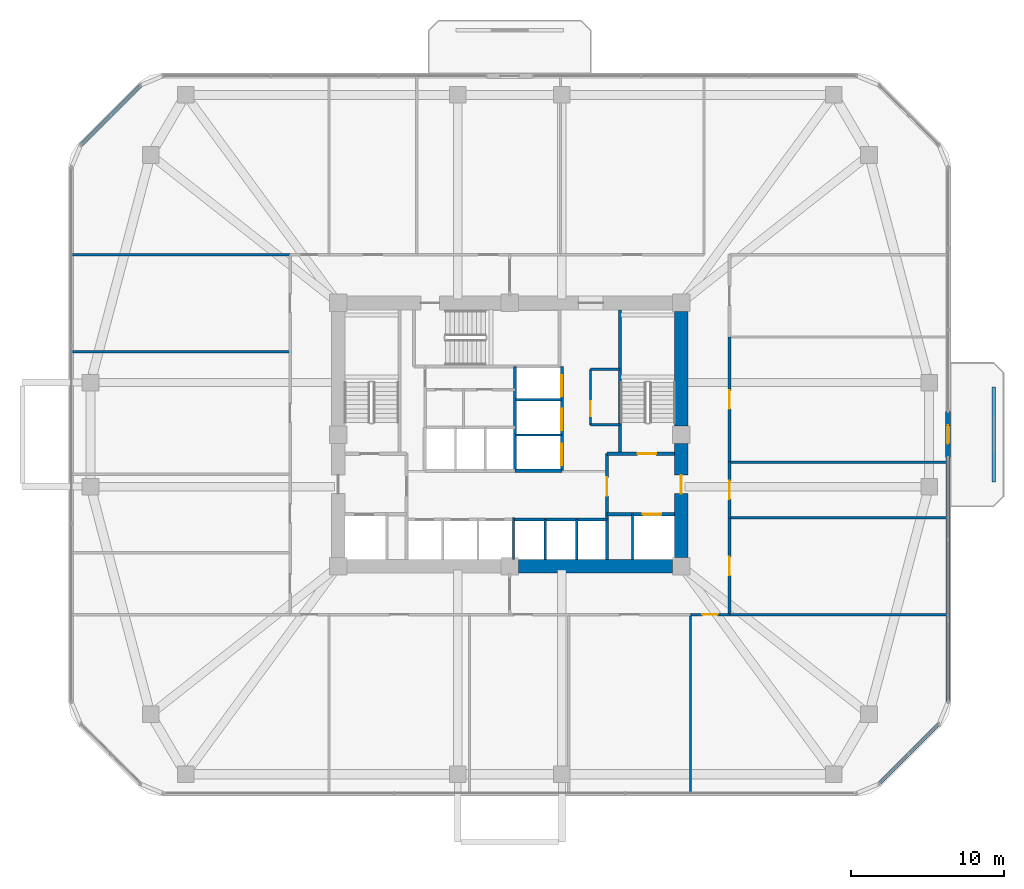
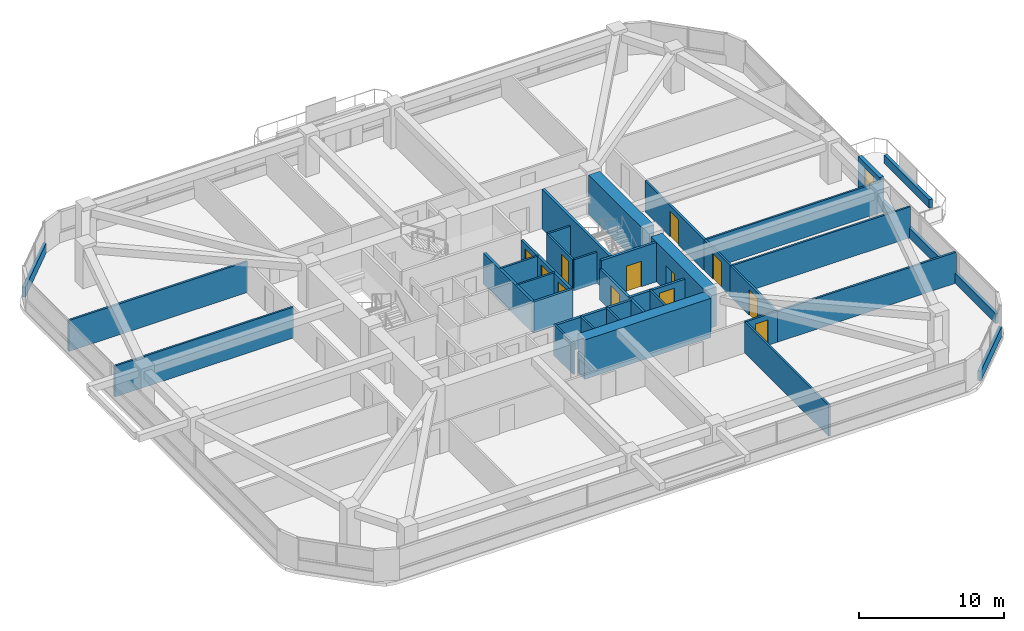
# One storey, part 10 of 13: 35 walls, 13 doors, 13 openings.
"""IFC4 building model written with IfcOpenShell, lengths in metres."""

from ifc_helpers import new_model, si_unit, derived_unit, direction, frame, frame_2d, origin, place, context, subcontext, project, spatial, rectangle, extrude, material, layer, layer_set, type_object, element, fill, save


model = new_model("IFC4")

# Units and contexts
model_context = context("Model", 3, precision=1e-05, world=origin(), true_north=direction((0.0, 1.0)))
body_context = subcontext(model_context, "Body", "Model", "MODEL_VIEW")
ifc_project = project(units=[si_unit("LENGTHUNIT", "METRE"), si_unit("AREAUNIT", "SQUARE_METRE"), si_unit("VOLUMEUNIT", "CUBIC_METRE"), si_unit("PLANEANGLEUNIT", "RADIAN"), si_unit("MASSUNIT", "GRAM", prefix="KILO"), derived_unit("THERMALTRANSMITTANCEUNIT", [(si_unit("POWERUNIT", "WATT"), 1), (si_unit("LENGTHUNIT", "METRE"), -2), (si_unit("THERMODYNAMICTEMPERATUREUNIT", "KELVIN"), -1)])], contexts=[model_context])

# Site, building, storey
site_placement = place(None, origin())
site = spatial("IfcSite", under=ifc_project, at=site_placement, CompositionType="ELEMENT")
building_placement = place(site_placement, origin())
building = spatial("IfcBuilding", under=site, at=building_placement, Name="Koralith Skygarden Medical Center", CompositionType="ELEMENT")
storey_placement = place(building_placement, frame((0.0, 0.0, 59.93994140625)))
storey = spatial("IfcBuildingStorey", under=building, at=storey_placement, Name="L15", CompositionType="ELEMENT", Elevation=59.93994140625)

# Wall, opening, door
ifc_material_1 = material(Name="Gypsum Board Partition")
ifc_layer_1 = layer(ifc_material_1, 0.14990234375)
ifc_layer_set_1 = layer_set([ifc_layer_1], Name="Gypsum Board Partition")
wall_type_1 = type_object("IfcWallType", Name="Clinical Acoustic Partition 150", PredefinedType="PARTITIONING", material=ifc_layer_set_1)
wall_1_placement = place(storey_placement, frame((42.27001953125, 26.5400390625, 0.0), z_axis=(0.0, 0.0, 1.0), x_axis=(0.0, 1.0, 0.0)))
wall_1 = element("IfcWall", 1, at=wall_1_placement, inside=storey, type_object=wall_type_1, Name="L15 Clinical Acoustic Partition 150 W-CORE-L15-ESUB-W", PredefinedType="PARTITIONING", context=body_context, shape_type="SweptSolid", body=[
    extrude(rectangle(XDim=3.619873046875, YDim=0.14990234375, at=frame_2d((1.81005859375, 0.0))), origin(), (0.0, 0.0, 1.0), 2.610107421875),
])
opening_1_placement = place(wall_1_placement, frame((0.550048828125, 0.0, 0.0)))
opening_1 = element("IfcOpeningElement", 2, at=opening_1_placement, cuts=wall_1, Name="Opening D-SUP", PredefinedType="OPENING", context=body_context, shape_type="SweptSolid", body=[
    extrude(rectangle(XDim=1.0, YDim=2.14990234375, at=frame_2d((0.5, 1.074951171875))), frame((0.0, 0.0849609375, 0.0), z_axis=(0.0, -1.0, 0.0), x_axis=(1.0, 0.0, 0.0)), (0.0, 0.0, 1.0), 0.169921875),
])
ifc_material_2 = material(Name="Aluminium 6063-T6", Category="aluminium")
door_type_1 = type_object("IfcDoorType", Name="Clinical Support Door D-SUP 1000", OperationType="NOTDEFINED", PredefinedType="DOOR", material=ifc_material_2)
door_1_placement = place(opening_1_placement, origin())
door_1 = element("IfcDoor", 3, at=door_1_placement, inside=storey, type_object=door_type_1, Name="L15 Core Equipment Store Door", OperationType="SINGLE_SWING_LEFT", OverallHeight=2.14990234375, OverallWidth=1.0, PredefinedType="DOOR", context=body_context, shape_type="SweptSolid", body=[
    extrude(rectangle(XDim=1.0, YDim=2.14990234375, at=frame_2d((0.5, 1.074951171875))), frame((0.0, 0.02490234375, 0.0), z_axis=(0.0, -1.0, 0.0), x_axis=(1.0, 0.0, 0.0)), (0.0, 0.0, 1.0), 0.050048828125),
])
fill(opening_1, door_1)

# Walls
for number, where, z_axis, x_axis, name in (
    (4, (42.27001953125, 26.5400390625, 0.0), (0.0, 0.0, 1.0), (1.0, 0.0, 0.0), "L15 Clinical Acoustic Partition 150 W-CORE-L15-ESUB-S"),
    (5, (42.27001953125, 30.159912109375, 0.0), (0.0, 0.0, 1.0), (1.0, 0.0, 0.0), "L15 Clinical Acoustic Partition 150 W-CORE-L15-ESUB-N"),
):
    element("IfcWall", number, at=place(storey_placement, frame(where, z_axis=z_axis, x_axis=x_axis)), inside=storey, type_object=wall_type_1, Name=name, PredefinedType="PARTITIONING", context=body_context, shape_type="SweptSolid", body=[
        extrude(rectangle(XDim=1.929931640625, YDim=0.14990234375, at=frame_2d((0.96484375, 0.0))), origin(), (0.0, 0.0, 1.0), 2.610107421875),
    ])
wall_2_placement = place(storey_placement, frame((48.800048828125, 14.14990234375, 0.0), z_axis=(0.0, 0.0, 1.0), x_axis=(0.0, -1.0, 0.0)))
element("IfcWall", 6, at=wall_2_placement, inside=storey, type_object=wall_type_1, Name="L15 Clinical Acoustic Partition 150 W-PART-L15-S-04", PredefinedType="PARTITIONING", context=body_context, shape_type="SweptSolid", body=[
    extrude(rectangle(XDim=11.64990234375, YDim=0.14990234375, at=frame_2d((5.824951171875, 0.0))), origin(), (0.0, 0.0, 1.0), 2.610107421875),
])
for number, where, z_axis, x_axis, name in (
    (7, (22.64990234375, 31.304931640625, 0.0), (0.0, 0.0, 1.0), (-1.0, 0.0, 0.0), "L15 Clinical Acoustic Partition 150 W-PART-L15-W-03"),
    (8, (51.35009765625, 20.467041015625, 0.0), (0.0, 0.0, 1.0), (1.0, 0.0, 0.0), "L15 Clinical Acoustic Partition 150 W-PART-L15-E-01"),
    (9, (51.35009765625, 24.10009765625, 0.0), (0.0, 0.0, 1.0), (1.0, 0.0, 0.0), "L15 Clinical Acoustic Partition 150 W-PART-L15-E-02"),
):
    element("IfcWall", number, at=place(storey_placement, frame(where, z_axis=z_axis, x_axis=x_axis)), inside=storey, type_object=wall_type_1, Name=name, PredefinedType="PARTITIONING", context=body_context, shape_type="SweptSolid", body=[
        extrude(rectangle(XDim=14.25, YDim=0.14990234375, at=frame_2d((7.125, 0.0))), origin(), (0.0, 0.0, 1.0), 2.610107421875),
    ])
ifc_layer_2 = layer(ifc_material_1, 0.1650390625)
ifc_layer_set_2 = layer_set([ifc_layer_2], Name="Gypsum Board Partition")
wall_type_2 = type_object("IfcWallType", Name="Clinical Corridor Partition 165", PredefinedType="PARTITIONING", material=ifc_layer_set_2)
for number, where, z_axis, x_axis, name in (
    (10, (8.39990234375, 37.64990234375, 0.0), (0.0, 0.0, 1.0), (1.0, 0.0, 0.0), "L15 Clinical Corridor Partition 165 W-WB-L15-NW"),
    (11, (51.35009765625, 14.14990234375, 0.0), (0.0, 0.0, 1.0), (1.0, 0.0, 0.0), "L15 Clinical Corridor Partition 165 W-WB-L15-SE"),
):
    element("IfcWall", number, at=place(storey_placement, frame(where, z_axis=z_axis, x_axis=x_axis)), inside=storey, type_object=wall_type_2, Name=name, PredefinedType="PARTITIONING", context=body_context, shape_type="SweptSolid", body=[
        extrude(rectangle(XDim=14.25, YDim=0.1650390625, at=frame_2d((7.125, 0.0))), origin(), (0.0, 0.0, 1.0), 2.610107421875),
    ])

# Wall, opening, door
wall_3_placement = place(storey_placement, frame((48.800048828125, 14.14990234375, 0.0), z_axis=(0.0, 0.0, 1.0), x_axis=(1.0, 0.0, 0.0)))
wall_3 = element("IfcWall", 12, at=wall_3_placement, inside=storey, type_object=wall_type_2, Name="L15 Clinical Corridor Partition 165 W-CORR-L15-S-05", PredefinedType="PARTITIONING", context=body_context, shape_type="SweptSolid", body=[
    extrude(rectangle(XDim=2.550048828125, YDim=0.1650390625, at=frame_2d((1.27490234375, 0.0))), origin(), (0.0, 0.0, 1.0), 2.610107421875),
])
opening_2_placement = place(wall_3_placement, frame((0.77490234375, 0.0, 0.0)))
opening_2 = element("IfcOpeningElement", 13, at=opening_2_placement, cuts=wall_3, Name="Opening D-SUP", PredefinedType="OPENING", context=body_context, shape_type="SweptSolid", body=[
    extrude(rectangle(XDim=1.0, YDim=2.14990234375, at=frame_2d((0.5, 1.074951171875))), frame((0.0, 0.092529296875, 0.0), z_axis=(0.0, -1.0, 0.0), x_axis=(1.0, 0.0, 0.0)), (0.0, 0.0, 1.0), 0.18505859375),
])
door_2_placement = place(opening_2_placement, frame((1.0, 0.0, 0.0), z_axis=(0.0, 0.0, 1.0), x_axis=(-1.0, 0.0, 0.0)))
door_2 = element("IfcDoor", 14, at=door_2_placement, inside=storey, type_object=door_type_1, Name="L15 Patient Recovery Sitting Lounge 09 Door", OperationType="SINGLE_SWING_RIGHT", OverallHeight=2.14990234375, OverallWidth=1.0, PredefinedType="DOOR", context=body_context, shape_type="SweptSolid", body=[
    extrude(rectangle(XDim=1.0, YDim=2.14990234375, at=frame_2d((0.5, 1.074951171875))), frame((0.0, 0.02490234375, 0.0), z_axis=(0.0, -1.0, 0.0), x_axis=(1.0, 0.0, 0.0)), (0.0, 0.0, 1.0), 0.050048828125),
])
fill(opening_2, door_2)

wall_4_placement = place(storey_placement, frame((51.35009765625, 14.14990234375, 0.0), z_axis=(0.0, 0.0, 1.0), x_axis=(0.0, 1.0, 0.0)))
wall_4 = element("IfcWall", 15, at=wall_4_placement, inside=storey, type_object=wall_type_2, Name="L15 Clinical Corridor Partition 165 W-CORR-L15-E-01", PredefinedType="PARTITIONING", context=body_context, shape_type="SweptSolid", body=[
    extrude(rectangle(XDim=6.317138671875, YDim=0.1650390625, at=frame_2d((3.15869140625, 0.0))), origin(), (0.0, 0.0, 1.0), 2.610107421875),
])
opening_3_placement = place(wall_4_placement, frame((2.55810546875, 0.0, 0.0)))
opening_3 = element("IfcOpeningElement", 16, at=opening_3_placement, cuts=wall_4, Name="Opening D-CLN", PredefinedType="OPENING", context=body_context, shape_type="SweptSolid", body=[
    extrude(rectangle(XDim=1.199951171875, YDim=2.14990234375, at=frame_2d((0.60009765625, 1.074951171875))), frame((0.0, 0.092529296875, 0.0), z_axis=(0.0, -1.0, 0.0), x_axis=(1.0, 0.0, 0.0)), (0.0, 0.0, 1.0), 0.18505859375),
])
door_type_2 = type_object("IfcDoorType", Name="Clinical Corridor Door D-CLN 1200", OperationType="NOTDEFINED", PredefinedType="DOOR", material=ifc_material_2)
door_3_placement = place(opening_3_placement, origin())
door_3 = element("IfcDoor", 17, at=door_3_placement, inside=storey, type_object=door_type_2, Name="L15 Infusion Therapy Treatment Room 14 Door", OperationType="SINGLE_SWING_LEFT", OverallHeight=2.14990234375, OverallWidth=1.199951171875, PredefinedType="DOOR", context=body_context, shape_type="SweptSolid", body=[
    extrude(rectangle(XDim=1.199951171875, YDim=2.14990234375, at=frame_2d((0.60009765625, 1.074951171875))), frame((0.0, 0.02490234375, 0.0), z_axis=(0.0, -1.0, 0.0), x_axis=(1.0, 0.0, 0.0)), (0.0, 0.0, 1.0), 0.050048828125),
])
fill(opening_3, door_3)

wall_5_placement = place(storey_placement, frame((51.35009765625, 20.467041015625, 0.0), z_axis=(0.0, 0.0, 1.0), x_axis=(0.0, 1.0, 0.0)))
wall_5 = element("IfcWall", 18, at=wall_5_placement, inside=storey, type_object=wall_type_2, Name="L15 Clinical Corridor Partition 165 W-CORR-L15-E-02", PredefinedType="PARTITIONING", context=body_context, shape_type="SweptSolid", body=[
    extrude(rectangle(XDim=3.633056640625, YDim=0.1650390625, at=frame_2d((1.81640625, 0.0))), origin(), (0.0, 0.0, 1.0), 2.610107421875),
])
opening_4_placement = place(wall_5_placement, frame((1.217041015625, 0.0, 0.0)))
opening_4 = element("IfcOpeningElement", 19, at=opening_4_placement, cuts=wall_5, Name="Opening D-CLN", PredefinedType="OPENING", context=body_context, shape_type="SweptSolid", body=[
    extrude(rectangle(XDim=1.199951171875, YDim=2.14990234375, at=frame_2d((0.60009765625, 1.074951171875))), frame((0.0, 0.092529296875, 0.0), z_axis=(0.0, -1.0, 0.0), x_axis=(1.0, 0.0, 0.0)), (0.0, 0.0, 1.0), 0.18505859375),
])
door_4_placement = place(opening_4_placement, origin())
door_4 = element("IfcDoor", 20, at=door_4_placement, inside=storey, type_object=door_type_2, Name="L15 Phlebotomy Blood Draw Room 15 Door", OperationType="SINGLE_SWING_RIGHT", OverallHeight=2.14990234375, OverallWidth=1.199951171875, PredefinedType="DOOR", context=body_context, shape_type="SweptSolid", body=[
    extrude(rectangle(XDim=1.199951171875, YDim=2.14990234375, at=frame_2d((0.60009765625, 1.074951171875))), frame((0.0, 0.02490234375, 0.0), z_axis=(0.0, -1.0, 0.0), x_axis=(1.0, 0.0, 0.0)), (0.0, 0.0, 1.0), 0.050048828125),
])
fill(opening_4, door_4)

wall_6_placement = place(storey_placement, frame((51.35009765625, 24.10009765625, 0.0), z_axis=(0.0, 0.0, 1.0), x_axis=(0.0, 1.0, 0.0)))
wall_6 = element("IfcWall", 21, at=wall_6_placement, inside=storey, type_object=wall_type_2, Name="L15 Clinical Corridor Partition 165 W-CORR-L15-E-03", PredefinedType="PARTITIONING", context=body_context, shape_type="SweptSolid", body=[
    extrude(rectangle(XDim=8.1728515625, YDim=0.1650390625, at=frame_2d((4.08642578125, 0.0))), origin(), (0.0, 0.0, 1.0), 2.610107421875),
])
opening_5_placement = place(wall_6_placement, frame((3.487060546875, 0.0, 0.0)))
opening_5 = element("IfcOpeningElement", 22, at=opening_5_placement, cuts=wall_6, Name="Opening D-CLN", PredefinedType="OPENING", context=body_context, shape_type="SweptSolid", body=[
    extrude(rectangle(XDim=1.199951171875, YDim=2.14990234375, at=frame_2d((0.60009765625, 1.074951171875))), frame((0.0, 0.092529296875, 0.0), z_axis=(0.0, -1.0, 0.0), x_axis=(1.0, 0.0, 0.0)), (0.0, 0.0, 1.0), 0.18505859375),
])
door_5_placement = place(opening_5_placement, origin())
door_5 = element("IfcDoor", 23, at=door_5_placement, inside=storey, type_object=door_type_2, Name="L15 Patient and Family Sky-Garden Day Lounge 16 Door", OperationType="SINGLE_SWING_LEFT", OverallHeight=2.14990234375, OverallWidth=1.199951171875, PredefinedType="DOOR", context=body_context, shape_type="SweptSolid", body=[
    extrude(rectangle(XDim=1.199951171875, YDim=2.14990234375, at=frame_2d((0.60009765625, 1.074951171875))), frame((0.0, 0.02490234375, 0.0), z_axis=(0.0, -1.0, 0.0), x_axis=(1.0, 0.0, 0.0)), (0.0, 0.0, 1.0), 0.050048828125),
])
fill(opening_5, door_5)

ifc_layer_3 = layer(ifc_material_1, 0.199951171875)
ifc_layer_set_3 = layer_set([ifc_layer_3], Name="Gypsum Board Partition")
wall_type_3 = type_object("IfcWallType", Name="Fire Shaft Wall 200", PredefinedType="SOLIDWALL", material=ifc_layer_set_3)
wall_7_placement = place(storey_placement, frame((43.35009765625, 20.699951171875, 0.0), z_axis=(0.0, 0.0, 1.0), x_axis=(1.0, 0.0, 0.0)))
wall_7 = element("IfcWall", 24, at=wall_7_placement, inside=storey, type_object=wall_type_3, Name="L15 Fire Shaft Wall 200 W-CORE-L15-FF2-N", PredefinedType="SOLIDWALL", context=body_context, shape_type="SweptSolid", body=[
    extrude(rectangle(XDim=4.39990234375, YDim=0.199951171875, at=frame_2d((2.199951171875, 0.0))), origin(), (0.0, 0.0, 1.0), 2.610107421875),
])
opening_6_placement = place(wall_7_placement, frame((2.35009765625, 0.0, 0.0)))
opening_6 = element("IfcOpeningElement", 25, at=opening_6_placement, cuts=wall_7, Name="Opening LD-FF", PredefinedType="OPENING", context=body_context, shape_type="SweptSolid", body=[
    extrude(rectangle(XDim=1.199951171875, YDim=2.14990234375, at=frame_2d((0.60009765625, 1.074951171875))), frame((0.0, 0.10986328125, 0.0), z_axis=(0.0, -1.0, 0.0), x_axis=(1.0, 0.0, 0.0)), (0.0, 0.0, 1.0), 0.219970703125),
])
ifc_material_3 = material(Name="Steel ASTM A500 Grade C", Category="steel")
door_type_3 = type_object("IfcDoorType", Name="Fire Lift Sliding Landing Door LD-FF 1200", OperationType="NOTDEFINED", PredefinedType="DOOR", material=ifc_material_3)
door_6_placement = place(opening_6_placement, origin())
door_6 = element("IfcDoor", 26, at=door_6_placement, inside=storey, type_object=door_type_3, Name="L15 Fire Service Elevator FF2 Landing Door", OperationType="SLIDING_TO_RIGHT", OverallHeight=2.14990234375, OverallWidth=1.199951171875, PredefinedType="DOOR", context=body_context, shape_type="SweptSolid", body=[
    extrude(rectangle(XDim=1.199951171875, YDim=2.14990234375, at=frame_2d((0.60009765625, 1.074951171875))), frame((0.0, 0.02490234375, 0.0), z_axis=(0.0, -1.0, 0.0), x_axis=(1.0, 0.0, 0.0)), (0.0, 0.0, 1.0), 0.050048828125),
])
fill(opening_6, door_6)

wall_8_placement = place(storey_placement, frame((43.35009765625, 17.75, 0.0), z_axis=(0.0, 0.0, 1.0), x_axis=(0.0, 1.0, 0.0)))
wall_8 = element("IfcWall", 27, at=wall_8_placement, inside=storey, type_object=wall_type_3, Name="L15 Fire Shaft Wall 200 W-CORE-L15-FSAEE-W", PredefinedType="SOLIDWALL", context=body_context, shape_type="SweptSolid", body=[
    extrude(rectangle(XDim=6.89990234375, YDim=0.199951171875, at=frame_2d((3.449951171875, 0.0))), origin(), (0.0, 0.0, 1.0), 2.610107421875),
])
opening_7_placement = place(wall_8_placement, frame((4.14990234375, 0.0, 0.0)))
opening_7 = element("IfcOpeningElement", 28, at=opening_7_placement, cuts=wall_8, Name="Opening D-ST60", PredefinedType="OPENING", context=body_context, shape_type="SweptSolid", body=[
    extrude(rectangle(XDim=1.199951171875, YDim=2.14990234375, at=frame_2d((0.60009765625, 1.074951171875))), frame((0.0, 0.10986328125, 0.0), z_axis=(0.0, -1.0, 0.0), x_axis=(1.0, 0.0, 0.0)), (0.0, 0.0, 1.0), 0.219970703125),
])
door_type_4 = type_object("IfcDoorType", Name="Smokeproof Stair Fire Door FD60S 1200", OperationType="NOTDEFINED", PredefinedType="DOOR", material=ifc_material_3)
door_7_placement = place(opening_7_placement, frame((1.199951171875, 0.0, 0.0), z_axis=(0.0, 0.0, 1.0), x_axis=(-1.0, 0.0, 0.0)))
door_7 = element("IfcDoor", 29, at=door_7_placement, inside=storey, type_object=door_type_4, Name="L15 East Firefighting Lobby Inner Fire Door", OperationType="SINGLE_SWING_RIGHT", OverallHeight=2.14990234375, OverallWidth=1.199951171875, PredefinedType="DOOR", context=body_context, shape_type="SweptSolid", body=[
    extrude(rectangle(XDim=1.199951171875, YDim=2.14990234375, at=frame_2d((0.60009765625, 1.074951171875))), frame((0.0, 0.02490234375, 0.0), z_axis=(0.0, -1.0, 0.0), x_axis=(1.0, 0.0, 0.0)), (0.0, 0.0, 1.0), 0.050048828125),
])
fill(opening_7, door_7)

# Walls
wall_9_placement = place(storey_placement, frame((37.25, 20.360107421875, 0.0), z_axis=(0.0, 0.0, 1.0), x_axis=(1.0, 0.0, 0.0)))
element("IfcWall", 30, at=wall_9_placement, inside=storey, type_object=wall_type_3, Name="L15 Fire Shaft Wall 200 W-CORE-L15-PM-N", PredefinedType="SOLIDWALL", context=body_context, shape_type="SweptSolid", body=[
    extrude(rectangle(XDim=6.10009765625, YDim=0.199951171875, at=frame_2d((3.050048828125, 0.0))), origin(), (0.0, 0.0, 1.0), 2.610107421875),
])
wall_10_placement = place(storey_placement, frame((37.35009765625, 23.5400390625, 0.0), z_axis=(0.0, 0.0, 1.0), x_axis=(0.0, 1.0, 0.0)))
element("IfcWall", 31, at=wall_10_placement, inside=storey, type_object=wall_type_3, Name="L15 Fire Shaft Wall 200 W-CORE-L15-SV-W", PredefinedType="SOLIDWALL", context=body_context, shape_type="SweptSolid", body=[
    extrude(rectangle(XDim=6.820068359375, YDim=0.199951171875, at=frame_2d((3.41015625, 0.0))), origin(), (0.0, 0.0, 1.0), 2.610107421875),
])
wall_11_placement = place(storey_placement, frame((37.35009765625, 23.5400390625, 0.0), z_axis=(0.0, 0.0, 1.0), x_axis=(1.0, 0.0, 0.0)))
element("IfcWall", 32, at=wall_11_placement, inside=storey, type_object=wall_type_3, Name="L15 Fire Shaft Wall 200 W-CORE-L15-SV-S", PredefinedType="SOLIDWALL", context=body_context, shape_type="SweptSolid", body=[
    extrude(rectangle(XDim=3.0498046875, YDim=0.199951171875, at=frame_2d((1.52490234375, 0.0))), origin(), (0.0, 0.0, 1.0), 2.610107421875),
])

# Wall, openings, doors
wall_12_placement = place(storey_placement, frame((40.39990234375, 23.5400390625, 0.0), z_axis=(0.0, 0.0, 1.0), x_axis=(0.0, 1.0, 0.0)))
wall_12 = element("IfcWall", 33, at=wall_12_placement, inside=storey, type_object=wall_type_3, Name="L15 Fire Shaft Wall 200 W-CORE-L15-SV-E", PredefinedType="SOLIDWALL", context=body_context, shape_type="SweptSolid", body=[
    extrude(rectangle(XDim=6.820068359375, YDim=0.199951171875, at=frame_2d((3.41015625, 0.0))), origin(), (0.0, 0.0, 1.0), 2.610107421875),
])
opening_8_placement = place(wall_12_placement, frame((0.35009765625, 0.0, 0.0)))
opening_8 = element("IfcOpeningElement", 34, at=opening_8_placement, cuts=wall_12, Name="Opening LD-SV", PredefinedType="OPENING", context=body_context, shape_type="SweptSolid", body=[
    extrude(rectangle(XDim=1.39990234375, YDim=2.199951171875, at=frame_2d((0.699951171875, 1.10009765625))), frame((0.0, 0.10986328125, 0.0), z_axis=(0.0, -1.0, 0.0), x_axis=(1.0, 0.0, 0.0)), (0.0, 0.0, 1.0), 0.219970703125),
])
opening_9_placement = place(wall_12_placement, frame((2.64990234375, 0.0, 0.0)))
opening_9 = element("IfcOpeningElement", 35, at=opening_9_placement, cuts=wall_12, Name="Opening LD-SV", PredefinedType="OPENING", context=body_context, shape_type="SweptSolid", body=[
    extrude(rectangle(XDim=1.39990234375, YDim=2.199951171875, at=frame_2d((0.699951171875, 1.10009765625))), frame((0.0, 0.10986328125, 0.0), z_axis=(0.0, -1.0, 0.0), x_axis=(1.0, 0.0, 0.0)), (0.0, 0.0, 1.0), 0.219970703125),
])
opening_10_placement = place(wall_12_placement, frame((4.85009765625, 0.0, 0.0)))
opening_10 = element("IfcOpeningElement", 36, at=opening_10_placement, cuts=wall_12, Name="Opening LD-SV", PredefinedType="OPENING", context=body_context, shape_type="SweptSolid", body=[
    extrude(rectangle(XDim=1.39990234375, YDim=2.199951171875, at=frame_2d((0.699951171875, 1.10009765625))), frame((0.0, 0.10986328125, 0.0), z_axis=(0.0, -1.0, 0.0), x_axis=(1.0, 0.0, 0.0)), (0.0, 0.0, 1.0), 0.219970703125),
])
door_type_5 = type_object("IfcDoorType", Name="Bed Lift Sliding Landing Door LD-SV 1400", OperationType="NOTDEFINED", PredefinedType="DOOR", material=ifc_material_3)
door_8_placement = place(opening_8_placement, origin())
door_8 = element("IfcDoor", 37, at=door_8_placement, inside=storey, type_object=door_type_5, Name="L15 Bed Elevator BD1 Landing Door", OperationType="SLIDING_TO_LEFT", OverallHeight=2.199951171875, OverallWidth=1.39990234375, PredefinedType="DOOR", context=body_context, shape_type="SweptSolid", body=[
    extrude(rectangle(XDim=1.39990234375, YDim=2.199951171875, at=frame_2d((0.699951171875, 1.10009765625))), frame((0.0, 0.02490234375, 0.0), z_axis=(0.0, -1.0, 0.0), x_axis=(1.0, 0.0, 0.0)), (0.0, 0.0, 1.0), 0.050048828125),
])
fill(opening_8, door_8)
door_9_placement = place(opening_9_placement, origin())
door_9 = element("IfcDoor", 38, at=door_9_placement, inside=storey, type_object=door_type_5, Name="L15 Service Elevator BD2 Landing Door", OperationType="SLIDING_TO_LEFT", OverallHeight=2.199951171875, OverallWidth=1.39990234375, PredefinedType="DOOR", context=body_context, shape_type="SweptSolid", body=[
    extrude(rectangle(XDim=1.39990234375, YDim=2.199951171875, at=frame_2d((0.699951171875, 1.10009765625))), frame((0.0, 0.02490234375, 0.0), z_axis=(0.0, -1.0, 0.0), x_axis=(1.0, 0.0, 0.0)), (0.0, 0.0, 1.0), 0.050048828125),
])
fill(opening_9, door_9)
door_10_placement = place(opening_10_placement, origin())
door_10 = element("IfcDoor", 39, at=door_10_placement, inside=storey, type_object=door_type_5, Name="L15 Trauma Elevator TR1 Landing Door", OperationType="SLIDING_TO_RIGHT", OverallHeight=2.199951171875, OverallWidth=1.39990234375, PredefinedType="DOOR", context=body_context, shape_type="SweptSolid", body=[
    extrude(rectangle(XDim=1.39990234375, YDim=2.199951171875, at=frame_2d((0.699951171875, 1.10009765625))), frame((0.0, 0.02490234375, 0.0), z_axis=(0.0, -1.0, 0.0), x_axis=(1.0, 0.0, 0.0)), (0.0, 0.0, 1.0), 0.050048828125),
])
fill(opening_10, door_10)

# Walls
ifc_material_4 = material(Name="Warm Oolitic Limestone Cladding", Category="masonry")
ifc_layer_4 = layer(ifc_material_4, 0.239990234375)
ifc_layer_set_4 = layer_set([ifc_layer_4], Name="Warm Oolitic Limestone Cladding")
wall_type_4 = type_object("IfcWallType", Name="Limestone Spandrel Sill Backup Wall 240", PredefinedType="SOLIDWALL", material=ifc_layer_set_4)
wall_13_placement = place(storey_placement, frame((61.095947265625, 3.0810546875, 0.0), z_axis=(0.0, 0.0, 1.0), x_axis=(0.707128783731, 0.707084777957, 0.0)))
element("IfcWall", 40, at=wall_13_placement, inside=storey, type_object=wall_type_4, Name="L15 Sill Spandrel SE", PredefinedType="SOLIDWALL", context=body_context, shape_type="SweptSolid", body=[
    extrude(rectangle(XDim=5.5478515625, YDim=0.239990234375, at=frame_2d((2.77392578125, 0.0))), origin(), (0.0, 0.0, 1.0), 0.85009765625),
])
wall_14_placement = place(storey_placement, frame((65.6201171875, 8.455078125, 0.0), z_axis=(0.0, 0.0, 1.0), x_axis=(0.0, 1.0, 0.0)))
element("IfcWall", 41, at=wall_14_placement, inside=storey, type_object=wall_type_4, Name="L15 Sill Spandrel E-L", PredefinedType="SOLIDWALL", context=body_context, shape_type="SweptSolid", body=[
    extrude(rectangle(XDim=15.905029296875, YDim=0.239990234375, at=frame_2d((7.95263671875, 0.0))), origin(), (0.0, 0.0, 1.0), 0.85009765625),
])
wall_15_placement = place(storey_placement, frame((12.904052734375, 48.718994140625, 0.0), z_axis=(0.0, 0.0, 1.0), x_axis=(-0.707106781187, -0.707106781187, 0.0)))
element("IfcWall", 42, at=wall_15_placement, inside=storey, type_object=wall_type_4, Name="L15 Sill Spandrel NW", PredefinedType="SOLIDWALL", context=body_context, shape_type="SweptSolid", body=[
    extrude(rectangle(XDim=5.548095703125, YDim=0.239990234375, at=frame_2d((2.77392578125, 0.0))), origin(), (0.0, 0.0, 1.0), 0.85009765625),
])
ifc_material_5 = material(Name="Concrete C70/85", Category="concrete")
ifc_layer_5 = layer(ifc_material_5, 0.89990234375)
ifc_layer_set_5 = layer_set([ifc_layer_5], Name="Concrete C70/85")
wall_type_5 = type_object("IfcWallType", Name="Lower Core Shear Wall 900", PredefinedType="SHEAR", material=ifc_layer_set_5)
wall_16_placement = place(storey_placement, frame((37.56494140625, 17.300048828125, 0.0), z_axis=(0.0, 0.0, 1.0), x_axis=(1.0, 0.0, 0.0)))
element("IfcWall", 43, at=wall_16_placement, inside=storey, type_object=wall_type_5, Name="L15 Core Shear Wall Segment 2", PredefinedType="SHEAR", context=body_context, shape_type="SweptSolid", body=[
    extrude(rectangle(XDim=10.070068359375, YDim=0.89990234375, at=frame_2d((5.03515625, 0.0))), origin(), (0.0, 0.0, 1.0), 3.320068359375),
])

# Wall, opening, door
wall_17_placement = place(storey_placement, frame((48.199951171875, 17.864990234375, 0.0), z_axis=(0.0, 0.0, 1.0), x_axis=(0.0, 1.0, 0.0)))
wall_17 = element("IfcWall", 44, at=wall_17_placement, inside=storey, type_object=wall_type_5, Name="L15 Core Shear Wall Segment 3", PredefinedType="SHEAR", context=body_context, shape_type="SweptSolid", body=[
    extrude(rectangle(XDim=7.469970703125, YDim=0.89990234375, at=frame_2d((3.73486328125, 0.0))), origin(), (0.0, 0.0, 1.0), 3.320068359375),
])
opening_11_placement = place(wall_17_placement, frame((4.18505859375, 0.0, 0.0)))
opening_11 = element("IfcOpeningElement", 45, at=opening_11_placement, cuts=wall_17, Name="Opening D-ST60", PredefinedType="OPENING", context=body_context, shape_type="SweptSolid", body=[
    extrude(rectangle(XDim=1.199951171875, YDim=2.14990234375, at=frame_2d((0.60009765625, 1.074951171875))), frame((0.0, 0.4599609375, 0.0), z_axis=(0.0, -1.0, 0.0), x_axis=(1.0, 0.0, 0.0)), (0.0, 0.0, 1.0), 0.919921875),
])
door_11_placement = place(opening_11_placement, frame((1.199951171875, 0.0, 0.0), z_axis=(0.0, 0.0, 1.0), x_axis=(-1.0, 0.0, 0.0)))
door_11 = element("IfcDoor", 46, at=door_11_placement, inside=storey, type_object=door_type_4, Name="L15 East Corridor to Firefighting Lobby Door", OperationType="SINGLE_SWING_RIGHT", OverallHeight=2.14990234375, OverallWidth=1.199951171875, PredefinedType="DOOR", context=body_context, shape_type="SweptSolid", body=[
    extrude(rectangle(XDim=1.199951171875, YDim=2.14990234375, at=frame_2d((0.60009765625, 1.074951171875))), frame((0.0, 0.02490234375, 0.0), z_axis=(0.0, -1.0, 0.0), x_axis=(1.0, 0.0, 0.0)), (0.0, 0.0, 1.0), 0.050048828125),
])
fill(opening_11, door_11)

# Wall
wall_18_placement = place(storey_placement, frame((48.199951171875, 26.465087890625, 0.0), z_axis=(0.0, 0.0, 1.0), x_axis=(0.0, 1.0, 0.0)))
element("IfcWall", 47, at=wall_18_placement, inside=storey, type_object=wall_type_5, Name="L15 Core Shear Wall Segment 4", PredefinedType="SHEAR", context=body_context, shape_type="SweptSolid", body=[
    extrude(rectangle(XDim=7.469970703125, YDim=0.89990234375, at=frame_2d((3.73486328125, 0.0))), origin(), (0.0, 0.0, 1.0), 3.320068359375),
])

# Wall, opening, door
ifc_layer_6 = layer(ifc_material_4, 0.300048828125)
ifc_layer_set_6 = layer_set([ifc_layer_6], Name="Warm Oolitic Limestone Cladding")
wall_type_6 = type_object("IfcWallType", Name="Oolitic Limestone Insulated Facade Wall 300", PredefinedType="SOLIDWALL", material=ifc_layer_set_6)
wall_19_placement = place(storey_placement, frame((65.6201171875, 24.39990234375, 0.0), z_axis=(0.0, 0.0, 1.0), x_axis=(0.0, 1.0, 0.0)))
wall_19 = element("IfcWall", 48, at=wall_19_placement, inside=storey, type_object=wall_type_6, Name="L15 Terrace Portal Wall E", PredefinedType="SOLIDWALL", context=body_context, shape_type="SweptSolid", body=[
    extrude(rectangle(XDim=3.0, YDim=0.300048828125, at=frame_2d((1.5, 0.0))), origin(), (0.0, 0.0, 1.0), 2.650146484375),
])
opening_12_placement = place(wall_19_placement, frame((0.89990234375, 0.0, 0.0)))
opening_12 = element("IfcOpeningElement", 49, at=opening_12_placement, cuts=wall_19, Name="Opening D-BAL", PredefinedType="OPENING", context=body_context, shape_type="SweptSolid", body=[
    extrude(rectangle(XDim=1.199951171875, YDim=2.199951171875, at=frame_2d((0.60009765625, 1.10009765625))), frame((0.0, 0.159912109375, 0.0), z_axis=(0.0, -1.0, 0.0), x_axis=(1.0, 0.0, 0.0)), (0.0, 0.0, 1.0), 0.320068359375),
])
door_type_6 = type_object("IfcDoorType", Name="Planted Balcony Glazed Terrace Door D-BAL 1200", OperationType="NOTDEFINED", PredefinedType="DOOR", material=ifc_material_2)
door_12_placement = place(opening_12_placement, origin())
door_12 = element("IfcDoor", 50, at=door_12_placement, inside=storey, type_object=door_type_6, Name="L15 E Outdoor Terrace Access Door", OperationType="SINGLE_SWING_RIGHT", OverallHeight=2.199951171875, OverallWidth=1.199951171875, PredefinedType="DOOR", context=body_context, shape_type="SweptSolid", body=[
    extrude(rectangle(XDim=1.199951171875, YDim=2.199951171875, at=frame_2d((0.60009765625, 1.10009765625))), frame((0.0, 0.02490234375, 0.0), z_axis=(0.0, -1.0, 0.0), x_axis=(1.0, 0.0, 0.0)), (0.0, 0.0, 1.0), 0.050048828125),
])
fill(opening_12, door_12)

# Walls
ifc_layer_7 = layer(ifc_material_1, 0.14990234375)
ifc_layer_set_7 = layer_set([ifc_layer_7], Name="Gypsum Board Partition")
wall_type_7 = type_object("IfcWallType", Name="Shaft Partition Wall 150", PredefinedType="PARTITIONING", material=ifc_layer_set_7)
wall_20_placement = place(storey_placement, frame((45.02001953125, 17.75, 0.0), z_axis=(0.0, 0.0, 1.0), x_axis=(0.0, 1.0, 0.0)))
element("IfcWall", 51, at=wall_20_placement, inside=storey, type_object=wall_type_7, Name="L15 Shaft Partition Wall 150 W-CORE-L15-RSRE-DIV", PredefinedType="PARTITIONING", context=body_context, shape_type="SweptSolid", body=[
    extrude(rectangle(XDim=2.949951171875, YDim=0.14990234375, at=frame_2d((1.47509765625, 0.0))), origin(), (0.0, 0.0, 1.0), 2.610107421875),
])
for number, where, z_axis, x_axis, name in (
    (52, (39.320068359375, 17.75, 0.0), (0.0, 0.0, 1.0), (0.0, 1.0, 0.0), "L15 Shaft Partition Wall 150 W-CORE-L15-PM-D1"),
    (53, (41.3701171875, 17.75, 0.0), (0.0, 0.0, 1.0), (0.0, 1.0, 0.0), "L15 Shaft Partition Wall 150 W-CORE-L15-PM-D2"),
):
    element("IfcWall", number, at=place(storey_placement, frame(where, z_axis=z_axis, x_axis=x_axis)), inside=storey, type_object=wall_type_7, Name=name, PredefinedType="PARTITIONING", context=body_context, shape_type="SweptSolid", body=[
        extrude(rectangle(XDim=2.610107421875, YDim=0.14990234375, at=frame_2d((1.30517578125, 0.0))), origin(), (0.0, 0.0, 1.0), 2.610107421875),
    ])
wall_21_placement = place(storey_placement, frame((37.25, 17.75, 0.0), z_axis=(0.0, 0.0, 1.0), x_axis=(0.0, 1.0, 0.0)))
element("IfcWall", 54, at=wall_21_placement, inside=storey, type_object=wall_type_7, Name="L15 Shaft Partition Wall 150 W-CORE-L15-PL-PM-SEP", PredefinedType="PARTITIONING", context=body_context, shape_type="SweptSolid", body=[
    extrude(rectangle(XDim=2.72998046875, YDim=0.14990234375, at=frame_2d((1.364990234375, 0.0))), origin(), (0.0, 0.0, 1.0), 2.610107421875),
])
for number, where, z_axis, x_axis, name in (
    (55, (37.3701171875, 25.8701171875, 0.0), (0.0, 0.0, 1.0), (1.0, 0.0, 0.0), "L15 Shaft Partition Wall 150 W-CORE-L15-SV-D1"),
    (56, (37.3701171875, 28.169921875, 0.0), (0.0, 0.0, 1.0), (1.0, 0.0, 0.0), "L15 Shaft Partition Wall 150 W-CORE-L15-SV-D2"),
):
    element("IfcWall", number, at=place(storey_placement, frame(where, z_axis=z_axis, x_axis=x_axis)), inside=storey, type_object=wall_type_7, Name=name, PredefinedType="PARTITIONING", context=body_context, shape_type="SweptSolid", body=[
        extrude(rectangle(XDim=3.009765625, YDim=0.14990234375, at=frame_2d((1.5048828125, 0.0))), origin(), (0.0, 0.0, 1.0), 2.610107421875),
    ])
ifc_material_6 = material(Name="Precast concrete C40/50", Category="concrete")
ifc_layer_8 = layer(ifc_material_6, 0.25)
ifc_layer_set_8 = layer_set([ifc_layer_8], Name="Precast concrete C40/50")
wall_type_8 = type_object("IfcWallType", Name="Structural Concrete Balcony Planter Kerb 250", PredefinedType="PARAPET", material=ifc_layer_set_8)
wall_22_placement = place(storey_placement, frame((68.60009765625, 22.800048828125, 0.0), z_axis=(0.0, 0.0, 1.0), x_axis=(0.0, 1.0, 0.0)))
element("IfcWall", 57, at=wall_22_placement, inside=storey, type_object=wall_type_8, Name="L15 E Structural Tree PLANTER Box", PredefinedType="PARAPET", context=body_context, shape_type="SweptSolid", body=[
    extrude(rectangle(XDim=6.199951171875, YDim=0.25, at=frame_2d((3.10009765625, 0.0))), origin(), (0.0, 0.0, 1.0), 0.719970703125),
])
ifc_material_7 = material(Name="Concrete C45/55", Category="concrete")
ifc_layer_9 = layer(ifc_material_7, 0.199951171875)
ifc_layer_set_9 = layer_set([ifc_layer_9], Name="Concrete C45/55")
wall_type_9 = type_object("IfcWallType", Name="Structural Stair Shaft Wall 200", PredefinedType="SHEAR", material=ifc_layer_set_9)
wall_23_placement = place(storey_placement, frame((44.199951171875, 24.64990234375, 0.0), z_axis=(0.0, 0.0, 1.0), x_axis=(0.0, 1.0, 0.0)))
element("IfcWall", 58, at=wall_23_placement, inside=storey, type_object=wall_type_9, Name="L15 Structural Stair Shaft Wall 200 W-CORE-L15-ST2-W", PredefinedType="SHEAR", context=body_context, shape_type="SweptSolid", body=[
    extrude(rectangle(XDim=9.400146484375, YDim=0.199951171875, at=frame_2d((4.7001953125, 0.0))), origin(), (0.0, 0.0, 1.0), 3.320068359375),
])

# Wall, opening, door
wall_24_placement = place(storey_placement, frame((43.35009765625, 24.64990234375, 0.0), z_axis=(0.0, 0.0, 1.0), x_axis=(1.0, 0.0, 0.0)))
wall_24 = element("IfcWall", 59, at=wall_24_placement, inside=storey, type_object=wall_type_9, Name="L15 Structural Stair Shaft Wall 200 W-CORE-L15-ST2-S", PredefinedType="SHEAR", context=body_context, shape_type="SweptSolid", body=[
    extrude(rectangle(XDim=4.39990234375, YDim=0.199951171875, at=frame_2d((2.199951171875, 0.0))), origin(), (0.0, 0.0, 1.0), 3.320068359375),
])
opening_13_placement = place(wall_24_placement, frame((2.0, 0.0, 0.0)))
opening_13 = element("IfcOpeningElement", 60, at=opening_13_placement, cuts=wall_24, Name="Opening D-ST60", PredefinedType="OPENING", context=body_context, shape_type="SweptSolid", body=[
    extrude(rectangle(XDim=1.199951171875, YDim=2.14990234375, at=frame_2d((0.60009765625, 1.074951171875))), frame((0.0, 0.10986328125, 0.0), z_axis=(0.0, -1.0, 0.0), x_axis=(1.0, 0.0, 0.0)), (0.0, 0.0, 1.0), 0.219970703125),
])
door_13_placement = place(opening_13_placement, origin())
door_13 = element("IfcDoor", 61, at=door_13_placement, inside=storey, type_object=door_type_4, Name="L15 Exit Stair ST2 Fire Door", OperationType="SINGLE_SWING_RIGHT", OverallHeight=2.14990234375, OverallWidth=1.199951171875, PredefinedType="DOOR", context=body_context, shape_type="SweptSolid", body=[
    extrude(rectangle(XDim=1.199951171875, YDim=2.14990234375, at=frame_2d((0.60009765625, 1.074951171875))), frame((0.0, 0.02490234375, 0.0), z_axis=(0.0, -1.0, 0.0), x_axis=(1.0, 0.0, 0.0)), (0.0, 0.0, 1.0), 0.050048828125),
])
fill(opening_13, door_13)

save(model, "model.ifc")
